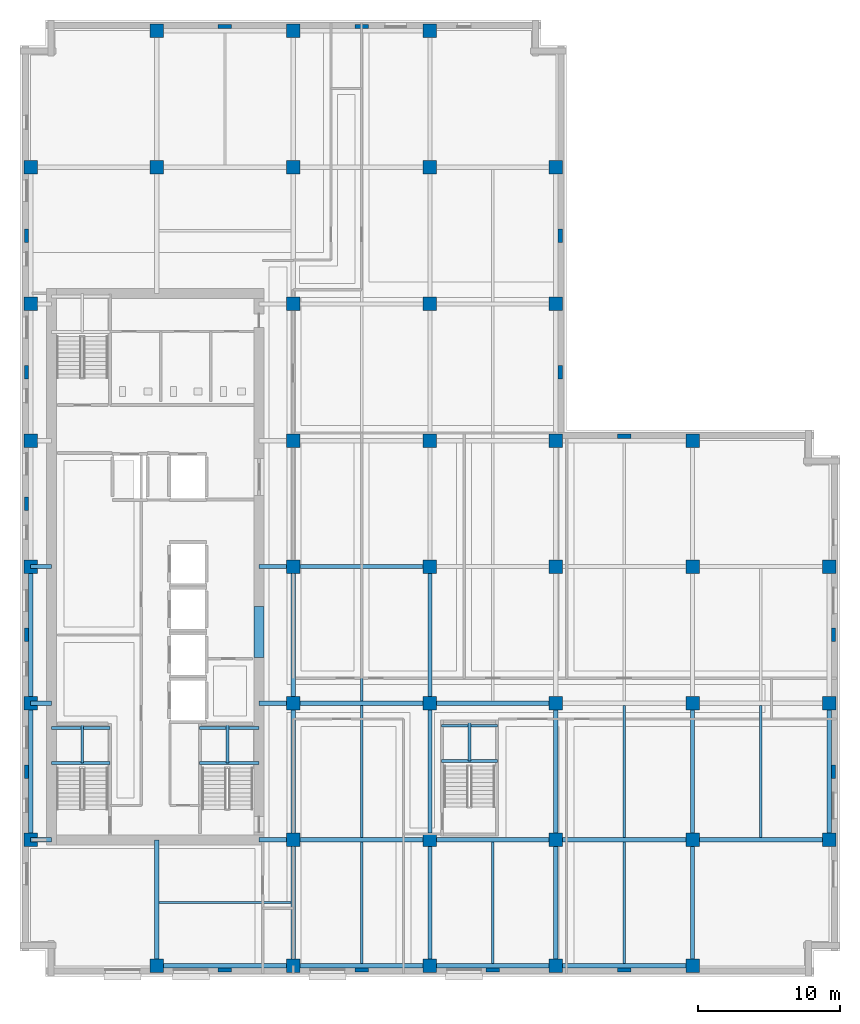
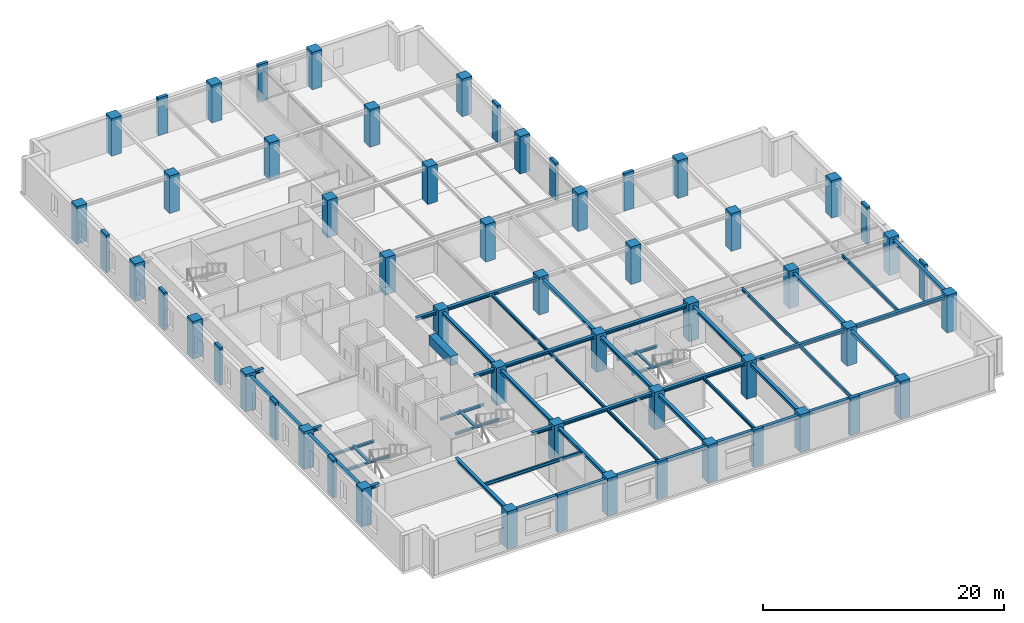
# One storey, part 1 of 13: 56 columns, 49 beams.
"""IFC4 building model written with IfcOpenShell, lengths in metres."""

from ifc_helpers import new_model, si_unit, direction, frame, origin, origin_2d, place, context, subcontext, project, spatial, rectangle, i_section, extrude, material, material_profile, profile_set, type_object, element, save


model = new_model("IFC4")

# Units and contexts
model_context = context("Model", 3, precision=1e-05, world=origin(), true_north=direction((0.0, 1.0)))
body_context = subcontext(model_context, "Body", "Model", "MODEL_VIEW")
ifc_project = project(units=[si_unit("LENGTHUNIT", "METRE"), si_unit("AREAUNIT", "SQUARE_METRE"), si_unit("VOLUMEUNIT", "CUBIC_METRE"), si_unit("PLANEANGLEUNIT", "RADIAN"), si_unit("MASSUNIT", "GRAM", prefix="KILO")], contexts=[model_context])

# Site, building, storey
site_placement = place(None, origin())
site = spatial("IfcSite", under=ifc_project, at=site_placement, CompositionType="ELEMENT")
building_placement = place(site_placement, origin())
building = spatial("IfcBuilding", under=site, at=building_placement, Name="Norrvale University Quadrangle", CompositionType="ELEMENT")
storey_placement = place(building_placement, frame((0.0, 0.0, 175.0)))
storey = spatial("IfcBuildingStorey", under=building, at=storey_placement, Name="L44", CompositionType="ELEMENT", Elevation=175.0)

# Columns
ifc_material_1 = material(Name="Red Manganese Brick Concrete C60/75", Category="concrete")
ifc_material_profile_1 = material_profile(ifc_material_1, rectangle(XDim=0.949951171875, YDim=0.300048828125, at=origin_2d()), Name="Red Manganese Brick Concrete C60/75")
ifc_profile_set_1 = profile_set([ifc_material_profile_1], Name="Red Manganese Brick Concrete C60/75")
column_type_1 = type_object("IfcColumnType", Name="Column Brick Pier 950x300", PredefinedType="PILASTER", material=ifc_profile_set_1)
for number, where, z_axis, x_axis, name in (
    (1, (0.449951171875, 14.39990234375, 0.0), (0.0, 0.0, 1.0), (0.0, 1.0, 0.0), "Exterior Brick Facade Pilaster L44-01"),
    (2, (0.449951171875, 24.0, 0.0), (0.0, 0.0, 1.0), (0.0, 1.0, 0.0), "Exterior Brick Facade Pilaster L44-02"),
    (3, (0.449951171875, 33.199951171875, 0.0), (0.0, 0.0, 1.0), (0.0, 1.0, 0.0), "Exterior Brick Facade Pilaster L44-03"),
    (4, (0.449951171875, 42.449951171875, 0.0), (0.0, 0.0, 1.0), (0.0, 1.0, 0.0), "Exterior Brick Facade Pilaster L44-04"),
    (5, (0.449951171875, 52.050048828125, 0.0), (0.0, 0.0, 1.0), (0.0, 1.0, 0.0), "Exterior Brick Facade Pilaster L44-05"),
    (6, (14.39990234375, 0.449951171875, 0.0), (0.0, 0.0, 1.0), (1.0, 0.0, 0.0), "Exterior Brick Facade Pilaster L44-06"),
    (7, (24.0, 0.449951171875, 0.0), (0.0, 0.0, 1.0), (1.0, 0.0, 0.0), "Exterior Brick Facade Pilaster L44-07"),
    (8, (33.199951171875, 0.449951171875, 0.0), (0.0, 0.0, 1.0), (1.0, 0.0, 0.0), "Exterior Brick Facade Pilaster L44-08"),
    (9, (42.449951171875, 0.449951171875, 0.0), (0.0, 0.0, 1.0), (1.0, 0.0, 0.0), "Exterior Brick Facade Pilaster L44-09"),
    (10, (57.14990234375, 14.39990234375, 0.0), (0.0, 0.0, 1.0), (0.0, 1.0, 0.0), "Exterior Brick Facade Pilaster L44-10"),
    (11, (57.14990234375, 24.0, 0.0), (0.0, 0.0, 1.0), (0.0, 1.0, 0.0), "Exterior Brick Facade Pilaster L44-11"),
    (12, (14.39990234375, 66.75, 0.0), (0.0, 0.0, 1.0), (1.0, 0.0, 0.0), "Exterior Brick Facade Pilaster L44-12"),
    (13, (24.0, 66.75, 0.0), (0.0, 0.0, 1.0), (1.0, 0.0, 0.0), "Exterior Brick Facade Pilaster L44-13"),
    (14, (37.949951171875, 42.449951171875, 0.0), (0.0, 0.0, 1.0), (0.0, 1.0, 0.0), "Exterior Brick Facade Pilaster L44-14"),
    (15, (37.949951171875, 52.050048828125, 0.0), (0.0, 0.0, 1.0), (0.0, 1.0, 0.0), "Exterior Brick Facade Pilaster L44-15"),
    (16, (42.449951171875, 37.949951171875, 0.0), (0.0, 0.0, 1.0), (1.0, 0.0, 0.0), "Exterior Brick Facade Pilaster L44-16"),
):
    element("IfcColumn", number, at=place(storey_placement, frame(where, z_axis=z_axis, x_axis=x_axis)), inside=storey, type_object=column_type_1, Name=name, PredefinedType="PILASTER", context=body_context, shape_type="SweptSolid", body=[
        extrude(rectangle(XDim=0.949951171875, YDim=0.300048828125, at=origin_2d()), origin(), (0.0, 0.0, 1.0), 3.800048828125),
    ])
ifc_material_2 = material(Name="Concrete C60/75", Category="concrete")
ifc_material_profile_2 = material_profile(ifc_material_2, rectangle(XDim=0.949951171875, YDim=0.949951171875, at=origin_2d()), Name="Concrete C60/75")
ifc_profile_set_2 = profile_set([ifc_material_profile_2], Name="Concrete C60/75")
column_type_2 = type_object("IfcColumnType", Name="Column Tower Z2 950x950", PredefinedType="COLUMN", material=ifc_profile_set_2)
for number, where, z_axis, x_axis, name in (
    (17, (0.75, 9.60009765625, 0.0), (0.0, 0.0, 1.0), (1.0, 0.0, 0.0), "Tower Column L44-T01"),
    (18, (0.75, 19.199951171875, 0.0), (0.0, 0.0, 1.0), (1.0, 0.0, 0.0), "Tower Column L44-T02"),
    (19, (0.75, 28.800048828125, 0.0), (0.0, 0.0, 1.0), (1.0, 0.0, 0.0), "Tower Column L44-T03"),
    (20, (0.75, 37.64990234375, 0.0), (0.0, 0.0, 1.0), (1.0, 0.0, 0.0), "Tower Column L44-T04"),
    (21, (0.75, 47.25, 0.0), (0.0, 0.0, 1.0), (1.0, 0.0, 0.0), "Tower Column L44-T05"),
    (22, (0.75, 56.85009765625, 0.0), (0.0, 0.0, 1.0), (1.0, 0.0, 0.0), "Tower Column L44-T06"),
    (23, (9.60009765625, 0.75, 0.0), (0.0, 0.0, 1.0), (1.0, 0.0, 0.0), "Tower Column L44-T07"),
    (24, (9.60009765625, 56.85009765625, 0.0), (0.0, 0.0, 1.0), (1.0, 0.0, 0.0), "Tower Column L44-T08"),
    (25, (9.60009765625, 66.449951171875, 0.0), (0.0, 0.0, 1.0), (1.0, 0.0, 0.0), "Tower Column L44-T09"),
    (26, (19.199951171875, 0.75, 0.0), (0.0, 0.0, 1.0), (1.0, 0.0, 0.0), "Tower Column L44-T10"),
    (27, (19.199951171875, 9.60009765625, 0.0), (0.0, 0.0, 1.0), (1.0, 0.0, 0.0), "Tower Column L44-T11"),
    (28, (19.199951171875, 19.199951171875, 0.0), (0.0, 0.0, 1.0), (1.0, 0.0, 0.0), "Tower Column L44-T12"),
    (29, (19.199951171875, 28.800048828125, 0.0), (0.0, 0.0, 1.0), (1.0, 0.0, 0.0), "Tower Column L44-T13"),
    (30, (19.199951171875, 37.64990234375, 0.0), (0.0, 0.0, 1.0), (1.0, 0.0, 0.0), "Tower Column L44-T14"),
    (31, (19.199951171875, 47.25, 0.0), (0.0, 0.0, 1.0), (1.0, 0.0, 0.0), "Tower Column L44-T15"),
    (32, (19.199951171875, 56.85009765625, 0.0), (0.0, 0.0, 1.0), (1.0, 0.0, 0.0), "Tower Column L44-T16"),
    (33, (19.199951171875, 66.449951171875, 0.0), (0.0, 0.0, 1.0), (1.0, 0.0, 0.0), "Tower Column L44-T17"),
    (34, (28.800048828125, 0.75, 0.0), (0.0, 0.0, 1.0), (1.0, 0.0, 0.0), "Tower Column L44-T18"),
    (35, (28.800048828125, 9.60009765625, 0.0), (0.0, 0.0, 1.0), (1.0, 0.0, 0.0), "Tower Column L44-T19"),
    (36, (28.800048828125, 19.199951171875, 0.0), (0.0, 0.0, 1.0), (1.0, 0.0, 0.0), "Tower Column L44-T20"),
    (37, (28.800048828125, 28.800048828125, 0.0), (0.0, 0.0, 1.0), (1.0, 0.0, 0.0), "Tower Column L44-T21"),
    (38, (28.800048828125, 37.64990234375, 0.0), (0.0, 0.0, 1.0), (1.0, 0.0, 0.0), "Tower Column L44-T22"),
    (39, (28.800048828125, 47.25, 0.0), (0.0, 0.0, 1.0), (1.0, 0.0, 0.0), "Tower Column L44-T23"),
    (40, (28.800048828125, 56.85009765625, 0.0), (0.0, 0.0, 1.0), (1.0, 0.0, 0.0), "Tower Column L44-T24"),
    (41, (28.800048828125, 66.449951171875, 0.0), (0.0, 0.0, 1.0), (1.0, 0.0, 0.0), "Tower Column L44-T25"),
    (42, (37.64990234375, 0.75, 0.0), (0.0, 0.0, 1.0), (1.0, 0.0, 0.0), "Tower Column L44-T26"),
    (43, (37.64990234375, 9.60009765625, 0.0), (0.0, 0.0, 1.0), (1.0, 0.0, 0.0), "Tower Column L44-T27"),
    (44, (37.64990234375, 19.199951171875, 0.0), (0.0, 0.0, 1.0), (1.0, 0.0, 0.0), "Tower Column L44-T28"),
    (45, (37.64990234375, 28.800048828125, 0.0), (0.0, 0.0, 1.0), (1.0, 0.0, 0.0), "Tower Column L44-T29"),
    (46, (37.64990234375, 37.64990234375, 0.0), (0.0, 0.0, 1.0), (1.0, 0.0, 0.0), "Tower Column L44-T30"),
    (47, (37.64990234375, 47.25, 0.0), (0.0, 0.0, 1.0), (1.0, 0.0, 0.0), "Tower Column L44-T31"),
    (48, (37.64990234375, 56.85009765625, 0.0), (0.0, 0.0, 1.0), (1.0, 0.0, 0.0), "Tower Column L44-T32"),
    (49, (47.25, 0.75, 0.0), (0.0, 0.0, 1.0), (1.0, 0.0, 0.0), "Tower Column L44-T33"),
    (50, (47.25, 9.60009765625, 0.0), (0.0, 0.0, 1.0), (1.0, 0.0, 0.0), "Tower Column L44-T34"),
    (51, (47.25, 19.199951171875, 0.0), (0.0, 0.0, 1.0), (1.0, 0.0, 0.0), "Tower Column L44-T35"),
    (52, (47.25, 28.800048828125, 0.0), (0.0, 0.0, 1.0), (1.0, 0.0, 0.0), "Tower Column L44-T36"),
    (53, (47.25, 37.64990234375, 0.0), (0.0, 0.0, 1.0), (1.0, 0.0, 0.0), "Tower Column L44-T37"),
    (54, (56.85009765625, 9.60009765625, 0.0), (0.0, 0.0, 1.0), (1.0, 0.0, 0.0), "Tower Column L44-T38"),
    (55, (56.85009765625, 19.199951171875, 0.0), (0.0, 0.0, 1.0), (1.0, 0.0, 0.0), "Tower Column L44-T39"),
    (56, (56.85009765625, 28.800048828125, 0.0), (0.0, 0.0, 1.0), (1.0, 0.0, 0.0), "Tower Column L44-T40"),
):
    element("IfcColumn", number, at=place(storey_placement, frame(where, z_axis=z_axis, x_axis=x_axis)), inside=storey, type_object=column_type_2, Name=name, PredefinedType="COLUMN", context=body_context, shape_type="SweptSolid", body=[
        extrude(rectangle(XDim=0.949951171875, YDim=0.949951171875, at=origin_2d()), origin(), (0.0, 0.0, 1.0), 3.800048828125),
    ])

# Beams
ifc_material_3 = material(Name="Steel 350W", Category="steel")
ifc_material_profile_3 = material_profile(ifc_material_3, i_section(OverallWidth=0.1669921875, OverallDepth=0.31689453125, WebThickness=0.007568359375, FlangeThickness=0.01318359375, FilletRadius=0.010009765625, at=origin_2d()), Name="Steel 350W")
ifc_profile_set_3 = profile_set([ifc_material_profile_3], Name="Steel 350W")
beam_type_1 = type_object("IfcBeamType", Name="Beam Canopy Purlin W310x52", PredefinedType="USERDEFINED", material=ifc_profile_set_3)
beam_1_placement = place(storey_placement, frame((24.0, 0.902587890625, 3.381591796875), z_axis=(0.0, 1.0, 0.0), x_axis=(-1.0, 0.0, 0.0)))
element("IfcBeam", 57, at=beam_1_placement, inside=storey, type_object=beam_type_1, Name="Beam Canopy Purlin W310x52 BM-L44-J071", ObjectType="PURLIN", PredefinedType="USERDEFINED", context=body_context, shape_type="SweptSolid", body=[
    extrude(i_section(OverallWidth=0.1669921875, OverallDepth=0.31689453125, WebThickness=0.007568359375, FlangeThickness=0.01318359375, FilletRadius=0.010009765625, at=origin_2d()), origin(), (0.0, 0.0, 1.0), 8.544921875),
])
beam_2_placement = place(storey_placement, frame((24.0, 9.75244140625, 3.381591796875), z_axis=(0.0, 1.0, 0.0), x_axis=(-1.0, 0.0, 0.0)))
element("IfcBeam", 58, at=beam_2_placement, inside=storey, type_object=beam_type_1, Name="Beam Canopy Purlin W310x52 BM-L44-J072", ObjectType="PURLIN", PredefinedType="USERDEFINED", context=body_context, shape_type="SweptSolid", body=[
    extrude(i_section(OverallWidth=0.1669921875, OverallDepth=0.31689453125, WebThickness=0.007568359375, FlangeThickness=0.01318359375, FilletRadius=0.010009765625, at=origin_2d()), origin(), (0.0, 0.0, 1.0), 9.295166015625),
])
beam_3_placement = place(storey_placement, frame((24.0, 19.3525390625, 3.381591796875), z_axis=(0.0, 1.0, 0.0), x_axis=(-1.0, 0.0, 0.0)))
element("IfcBeam", 59, at=beam_3_placement, inside=storey, type_object=beam_type_1, Name="Beam Canopy Purlin W310x52 BM-L44-J073", ObjectType="PURLIN", PredefinedType="USERDEFINED", context=body_context, shape_type="SweptSolid", body=[
    extrude(i_section(OverallWidth=0.1669921875, OverallDepth=0.31689453125, WebThickness=0.007568359375, FlangeThickness=0.01318359375, FilletRadius=0.010009765625, at=origin_2d()), origin(), (0.0, 0.0, 1.0), 9.294921875),
])
for number, where, z_axis, x_axis, name in (
    (60, (33.22509765625, 0.902587890625, 3.381591796875), (0.0, 1.0, 0.0), (-1.0, 0.0, 0.0), "Beam Canopy Purlin W310x52 BM-L44-J078"),
    (61, (42.449951171875, 0.902587890625, 3.381591796875), (0.0, 1.0, 0.0), (-1.0, 0.0, 0.0), "Beam Canopy Purlin W310x52 BM-L44-J083"),
):
    element("IfcBeam", number, at=place(storey_placement, frame(where, z_axis=z_axis, x_axis=x_axis)), inside=storey, type_object=beam_type_1, Name=name, ObjectType="PURLIN", PredefinedType="USERDEFINED", context=body_context, shape_type="SweptSolid", body=[
        extrude(i_section(OverallWidth=0.1669921875, OverallDepth=0.31689453125, WebThickness=0.007568359375, FlangeThickness=0.01318359375, FilletRadius=0.010009765625, at=origin_2d()), origin(), (0.0, 0.0, 1.0), 8.544921875),
    ])
for number, where, z_axis, x_axis, name in (
    (62, (42.449951171875, 9.75244140625, 3.381591796875), (0.0, 1.0, 0.0), (-1.0, 0.0, 0.0), "Beam Canopy Purlin W310x52 BM-L44-J084"),
    (63, (52.050048828125, 9.75244140625, 3.381591796875), (0.0, 1.0, 0.0), (-1.0, 0.0, 0.0), "Beam Canopy Purlin W310x52 BM-L44-J087"),
    (64, (9.75244140625, 5.199951171875, 3.381591796875), (1.0, 0.0, 0.0), (0.0, 1.0, 0.0), "Beam Canopy Purlin W310x52 BM-L44-JCS090"),
):
    element("IfcBeam", number, at=place(storey_placement, frame(where, z_axis=z_axis, x_axis=x_axis)), inside=storey, type_object=beam_type_1, Name=name, ObjectType="PURLIN", PredefinedType="USERDEFINED", context=body_context, shape_type="SweptSolid", body=[
        extrude(i_section(OverallWidth=0.1669921875, OverallDepth=0.31689453125, WebThickness=0.007568359375, FlangeThickness=0.01318359375, FilletRadius=0.010009765625, at=origin_2d()), origin(), (0.0, 0.0, 1.0), 9.295166015625),
    ])
ifc_material_profile_4 = material_profile(ifc_material_3, i_section(OverallWidth=0.304931640625, OverallDepth=0.30810546875, WebThickness=0.010009765625, FlangeThickness=0.015380859375, FilletRadius=0.014892578125, at=origin_2d()), Name="Steel 350W")
ifc_profile_set_4 = profile_set([ifc_material_profile_4], Name="Steel 350W")
beam_type_2 = type_object("IfcBeamType", Name="Beam Canopy W310x97", PredefinedType="BEAM", material=ifc_profile_set_4)
beam_4_placement = place(storey_placement, frame((9.60009765625, 0.75, 3.385986328125), z_axis=(1.0, 0.0, 0.0), x_axis=(0.0, 1.0, 0.0)))
element("IfcBeam", 65, at=beam_4_placement, inside=storey, type_object=beam_type_2, Name="Beam Canopy W310x97 BM-L44-GX001", PredefinedType="BEAM", context=body_context, shape_type="SweptSolid", body=[
    extrude(i_section(OverallWidth=0.304931640625, OverallDepth=0.30810546875, WebThickness=0.010009765625, FlangeThickness=0.015380859375, FilletRadius=0.014892578125, at=origin_2d()), origin(), (0.0, 0.0, 1.0), 9.599853515625),
])
beam_5_placement = place(storey_placement, frame((19.199951171875, 0.75, 3.385986328125), z_axis=(1.0, 0.0, 0.0), x_axis=(0.0, 1.0, 0.0)))
element("IfcBeam", 66, at=beam_5_placement, inside=storey, type_object=beam_type_2, Name="Beam Canopy W310x97 BM-L44-GX002", PredefinedType="BEAM", context=body_context, shape_type="SweptSolid", body=[
    extrude(i_section(OverallWidth=0.304931640625, OverallDepth=0.30810546875, WebThickness=0.010009765625, FlangeThickness=0.015380859375, FilletRadius=0.014892578125, at=origin_2d()), origin(), (0.0, 0.0, 1.0), 9.60009765625),
])
beam_6_placement = place(storey_placement, frame((28.800048828125, 0.75, 3.385986328125), z_axis=(1.0, 0.0, 0.0), x_axis=(0.0, 1.0, 0.0)))
element("IfcBeam", 67, at=beam_6_placement, inside=storey, type_object=beam_type_2, Name="Beam Canopy W310x97 BM-L44-GX003", PredefinedType="BEAM", context=body_context, shape_type="SweptSolid", body=[
    extrude(i_section(OverallWidth=0.304931640625, OverallDepth=0.30810546875, WebThickness=0.010009765625, FlangeThickness=0.015380859375, FilletRadius=0.014892578125, at=origin_2d()), origin(), (0.0, 0.0, 1.0), 8.849853515625),
])
for number, where, z_axis, x_axis, name in (
    (68, (37.64990234375, 0.75, 3.385986328125), (1.0, 0.0, 0.0), (0.0, 1.0, 0.0), "Beam Canopy W310x97 BM-L44-GX004"),
    (69, (19.199951171875, 9.60009765625, 3.385986328125), (1.0, 0.0, 0.0), (0.0, 1.0, 0.0), "Beam Canopy W310x97 BM-L44-GX005"),
):
    element("IfcBeam", number, at=place(storey_placement, frame(where, z_axis=z_axis, x_axis=x_axis)), inside=storey, type_object=beam_type_2, Name=name, PredefinedType="BEAM", context=body_context, shape_type="SweptSolid", body=[
        extrude(i_section(OverallWidth=0.304931640625, OverallDepth=0.30810546875, WebThickness=0.010009765625, FlangeThickness=0.015380859375, FilletRadius=0.014892578125, at=origin_2d()), origin(), (0.0, 0.0, 1.0), 9.60009765625),
    ])
beam_7_placement = place(storey_placement, frame((28.800048828125, 9.60009765625, 3.385986328125), z_axis=(1.0, 0.0, 0.0), x_axis=(0.0, 1.0, 0.0)))
element("IfcBeam", 70, at=beam_7_placement, inside=storey, type_object=beam_type_2, Name="Beam Canopy W310x97 BM-L44-GX006", PredefinedType="BEAM", context=body_context, shape_type="SweptSolid", body=[
    extrude(i_section(OverallWidth=0.304931640625, OverallDepth=0.30810546875, WebThickness=0.010009765625, FlangeThickness=0.015380859375, FilletRadius=0.014892578125, at=origin_2d()), origin(), (0.0, 0.0, 1.0), 8.849853515625),
])
for number, where, z_axis, x_axis, name in (
    (71, (37.64990234375, 9.60009765625, 3.385986328125), (1.0, 0.0, 0.0), (0.0, 1.0, 0.0), "Beam Canopy W310x97 BM-L44-GX007"),
    (72, (47.25, 9.60009765625, 3.385986328125), (1.0, 0.0, 0.0), (0.0, 1.0, 0.0), "Beam Canopy W310x97 BM-L44-GX008"),
    (73, (19.199951171875, 19.199951171875, 3.385986328125), (1.0, 0.0, 0.0), (0.0, 1.0, 0.0), "Beam Canopy W310x97 BM-L44-GX009"),
):
    element("IfcBeam", number, at=place(storey_placement, frame(where, z_axis=z_axis, x_axis=x_axis)), inside=storey, type_object=beam_type_2, Name=name, PredefinedType="BEAM", context=body_context, shape_type="SweptSolid", body=[
        extrude(i_section(OverallWidth=0.304931640625, OverallDepth=0.30810546875, WebThickness=0.010009765625, FlangeThickness=0.015380859375, FilletRadius=0.014892578125, at=origin_2d()), origin(), (0.0, 0.0, 1.0), 9.60009765625),
    ])
beam_8_placement = place(storey_placement, frame((28.800048828125, 19.199951171875, 3.385986328125), z_axis=(1.0, 0.0, 0.0), x_axis=(0.0, 1.0, 0.0)))
element("IfcBeam", 74, at=beam_8_placement, inside=storey, type_object=beam_type_2, Name="Beam Canopy W310x97 BM-L44-GX010", PredefinedType="BEAM", context=body_context, shape_type="SweptSolid", body=[
    extrude(i_section(OverallWidth=0.304931640625, OverallDepth=0.30810546875, WebThickness=0.010009765625, FlangeThickness=0.015380859375, FilletRadius=0.014892578125, at=origin_2d()), origin(), (0.0, 0.0, 1.0), 8.849853515625),
])
beam_9_placement = place(storey_placement, frame((19.199951171875, 28.800048828125, 3.385986328125), z_axis=(1.0, 0.0, 0.0), x_axis=(0.0, 1.0, 0.0)))
element("IfcBeam", 75, at=beam_9_placement, inside=storey, type_object=beam_type_2, Name="Beam Canopy W310x97 BM-L44-GX013", PredefinedType="BEAM", context=body_context, shape_type="SweptSolid", body=[
    extrude(i_section(OverallWidth=0.304931640625, OverallDepth=0.30810546875, WebThickness=0.010009765625, FlangeThickness=0.015380859375, FilletRadius=0.014892578125, at=origin_2d()), origin(), (0.0, 0.0, 1.0), 9.60009765625),
])
beam_10_placement = place(storey_placement, frame((0.75, 9.60009765625, 3.385986328125), z_axis=(0.0, 1.0, 0.0), x_axis=(-1.0, 0.0, 0.0)))
element("IfcBeam", 76, at=beam_10_placement, inside=storey, type_object=beam_type_2, Name="Beam Canopy W310x97 BM-L44-GY028", PredefinedType="BEAM", context=body_context, shape_type="SweptSolid", body=[
    extrude(i_section(OverallWidth=0.304931640625, OverallDepth=0.30810546875, WebThickness=0.010009765625, FlangeThickness=0.015380859375, FilletRadius=0.014892578125, at=origin_2d()), origin(), (0.0, 0.0, 1.0), 9.599853515625),
])
beam_11_placement = place(storey_placement, frame((0.75, 19.199951171875, 3.385986328125), z_axis=(0.0, 1.0, 0.0), x_axis=(-1.0, 0.0, 0.0)))
element("IfcBeam", 77, at=beam_11_placement, inside=storey, type_object=beam_type_2, Name="Beam Canopy W310x97 BM-L44-GY029", PredefinedType="BEAM", context=body_context, shape_type="SweptSolid", body=[
    extrude(i_section(OverallWidth=0.304931640625, OverallDepth=0.30810546875, WebThickness=0.010009765625, FlangeThickness=0.015380859375, FilletRadius=0.014892578125, at=origin_2d()), origin(), (0.0, 0.0, 1.0), 9.60009765625),
])
beam_12_placement = place(storey_placement, frame((19.199951171875, 0.75, 3.385986328125), z_axis=(0.0, 1.0, 0.0), x_axis=(-1.0, 0.0, 0.0)))
element("IfcBeam", 78, at=beam_12_placement, inside=storey, type_object=beam_type_2, Name="Beam Canopy W310x97 BM-L44-GY034", PredefinedType="BEAM", context=body_context, shape_type="SweptSolid", body=[
    extrude(i_section(OverallWidth=0.304931640625, OverallDepth=0.30810546875, WebThickness=0.010009765625, FlangeThickness=0.015380859375, FilletRadius=0.014892578125, at=origin_2d()), origin(), (0.0, 0.0, 1.0), 8.85009765625),
])
beam_13_placement = place(storey_placement, frame((19.199951171875, 9.60009765625, 3.385986328125), z_axis=(0.0, 1.0, 0.0), x_axis=(-1.0, 0.0, 0.0)))
element("IfcBeam", 79, at=beam_13_placement, inside=storey, type_object=beam_type_2, Name="Beam Canopy W310x97 BM-L44-GY035", PredefinedType="BEAM", context=body_context, shape_type="SweptSolid", body=[
    extrude(i_section(OverallWidth=0.304931640625, OverallDepth=0.30810546875, WebThickness=0.010009765625, FlangeThickness=0.015380859375, FilletRadius=0.014892578125, at=origin_2d()), origin(), (0.0, 0.0, 1.0), 9.599853515625),
])
beam_14_placement = place(storey_placement, frame((19.199951171875, 19.199951171875, 3.385986328125), z_axis=(0.0, 1.0, 0.0), x_axis=(-1.0, 0.0, 0.0)))
element("IfcBeam", 80, at=beam_14_placement, inside=storey, type_object=beam_type_2, Name="Beam Canopy W310x97 BM-L44-GY036", PredefinedType="BEAM", context=body_context, shape_type="SweptSolid", body=[
    extrude(i_section(OverallWidth=0.304931640625, OverallDepth=0.30810546875, WebThickness=0.010009765625, FlangeThickness=0.015380859375, FilletRadius=0.014892578125, at=origin_2d()), origin(), (0.0, 0.0, 1.0), 9.60009765625),
])
beam_15_placement = place(storey_placement, frame((28.800048828125, 0.75, 3.385986328125), z_axis=(0.0, 1.0, 0.0), x_axis=(-1.0, 0.0, 0.0)))
element("IfcBeam", 81, at=beam_15_placement, inside=storey, type_object=beam_type_2, Name="Beam Canopy W310x97 BM-L44-GY041", PredefinedType="BEAM", context=body_context, shape_type="SweptSolid", body=[
    extrude(i_section(OverallWidth=0.304931640625, OverallDepth=0.30810546875, WebThickness=0.010009765625, FlangeThickness=0.015380859375, FilletRadius=0.014892578125, at=origin_2d()), origin(), (0.0, 0.0, 1.0), 8.85009765625),
])
beam_16_placement = place(storey_placement, frame((28.800048828125, 9.60009765625, 3.385986328125), z_axis=(0.0, 1.0, 0.0), x_axis=(-1.0, 0.0, 0.0)))
element("IfcBeam", 82, at=beam_16_placement, inside=storey, type_object=beam_type_2, Name="Beam Canopy W310x97 BM-L44-GY042", PredefinedType="BEAM", context=body_context, shape_type="SweptSolid", body=[
    extrude(i_section(OverallWidth=0.304931640625, OverallDepth=0.30810546875, WebThickness=0.010009765625, FlangeThickness=0.015380859375, FilletRadius=0.014892578125, at=origin_2d()), origin(), (0.0, 0.0, 1.0), 9.599853515625),
])
beam_17_placement = place(storey_placement, frame((28.800048828125, 19.199951171875, 3.385986328125), z_axis=(0.0, 1.0, 0.0), x_axis=(-1.0, 0.0, 0.0)))
element("IfcBeam", 83, at=beam_17_placement, inside=storey, type_object=beam_type_2, Name="Beam Canopy W310x97 BM-L44-GY043", PredefinedType="BEAM", context=body_context, shape_type="SweptSolid", body=[
    extrude(i_section(OverallWidth=0.304931640625, OverallDepth=0.30810546875, WebThickness=0.010009765625, FlangeThickness=0.015380859375, FilletRadius=0.014892578125, at=origin_2d()), origin(), (0.0, 0.0, 1.0), 9.60009765625),
])
beam_18_placement = place(storey_placement, frame((37.64990234375, 0.75, 3.385986328125), z_axis=(0.0, 1.0, 0.0), x_axis=(-1.0, 0.0, 0.0)))
element("IfcBeam", 84, at=beam_18_placement, inside=storey, type_object=beam_type_2, Name="Beam Canopy W310x97 BM-L44-GY048", PredefinedType="BEAM", context=body_context, shape_type="SweptSolid", body=[
    extrude(i_section(OverallWidth=0.304931640625, OverallDepth=0.30810546875, WebThickness=0.010009765625, FlangeThickness=0.015380859375, FilletRadius=0.014892578125, at=origin_2d()), origin(), (0.0, 0.0, 1.0), 8.85009765625),
])
beam_19_placement = place(storey_placement, frame((37.64990234375, 9.60009765625, 3.385986328125), z_axis=(0.0, 1.0, 0.0), x_axis=(-1.0, 0.0, 0.0)))
element("IfcBeam", 85, at=beam_19_placement, inside=storey, type_object=beam_type_2, Name="Beam Canopy W310x97 BM-L44-GY049", PredefinedType="BEAM", context=body_context, shape_type="SweptSolid", body=[
    extrude(i_section(OverallWidth=0.304931640625, OverallDepth=0.30810546875, WebThickness=0.010009765625, FlangeThickness=0.015380859375, FilletRadius=0.014892578125, at=origin_2d()), origin(), (0.0, 0.0, 1.0), 9.599853515625),
])
beam_20_placement = place(storey_placement, frame((47.25, 0.75, 3.385986328125), z_axis=(0.0, 1.0, 0.0), x_axis=(-1.0, 0.0, 0.0)))
element("IfcBeam", 86, at=beam_20_placement, inside=storey, type_object=beam_type_2, Name="Beam Canopy W310x97 BM-L44-GY054", PredefinedType="BEAM", context=body_context, shape_type="SweptSolid", body=[
    extrude(i_section(OverallWidth=0.304931640625, OverallDepth=0.30810546875, WebThickness=0.010009765625, FlangeThickness=0.015380859375, FilletRadius=0.014892578125, at=origin_2d()), origin(), (0.0, 0.0, 1.0), 8.85009765625),
])
for number, where, z_axis, x_axis, name in (
    (87, (47.25, 9.60009765625, 3.385986328125), (0.0, 1.0, 0.0), (-1.0, 0.0, 0.0), "Beam Canopy W310x97 BM-L44-GY055"),
    (88, (56.85009765625, 9.60009765625, 3.385986328125), (0.0, 1.0, 0.0), (-1.0, 0.0, 0.0), "Beam Canopy W310x97 BM-L44-GY058"),
):
    element("IfcBeam", number, at=place(storey_placement, frame(where, z_axis=z_axis, x_axis=x_axis)), inside=storey, type_object=beam_type_2, Name=name, PredefinedType="BEAM", context=body_context, shape_type="SweptSolid", body=[
        extrude(i_section(OverallWidth=0.304931640625, OverallDepth=0.30810546875, WebThickness=0.010009765625, FlangeThickness=0.015380859375, FilletRadius=0.014892578125, at=origin_2d()), origin(), (0.0, 0.0, 1.0), 9.599853515625),
    ])
beam_21_placement = place(storey_placement, frame((0.75, 9.60009765625, 3.385986328125), z_axis=(1.0, 0.0, 0.0), x_axis=(0.0, 1.0, 0.0)))
element("IfcBeam", 89, at=beam_21_placement, inside=storey, type_object=beam_type_2, Name="Beam Canopy W310x97 BM-L44-GCW060", PredefinedType="BEAM", context=body_context, shape_type="SweptSolid", body=[
    extrude(i_section(OverallWidth=0.304931640625, OverallDepth=0.30810546875, WebThickness=0.010009765625, FlangeThickness=0.015380859375, FilletRadius=0.014892578125, at=origin_2d()), origin(), (0.0, 0.0, 1.0), 1.449951171875),
])
beam_22_placement = place(storey_placement, frame((16.800048828125, 9.60009765625, 3.385986328125), z_axis=(1.0, 0.0, 0.0), x_axis=(0.0, 1.0, 0.0)))
element("IfcBeam", 90, at=beam_22_placement, inside=storey, type_object=beam_type_2, Name="Beam Canopy W310x97 BM-L44-GCE061", PredefinedType="BEAM", context=body_context, shape_type="SweptSolid", body=[
    extrude(i_section(OverallWidth=0.304931640625, OverallDepth=0.30810546875, WebThickness=0.010009765625, FlangeThickness=0.015380859375, FilletRadius=0.014892578125, at=origin_2d()), origin(), (0.0, 0.0, 1.0), 2.39990234375),
])
beam_23_placement = place(storey_placement, frame((0.75, 19.199951171875, 3.385986328125), z_axis=(1.0, 0.0, 0.0), x_axis=(0.0, 1.0, 0.0)))
element("IfcBeam", 91, at=beam_23_placement, inside=storey, type_object=beam_type_2, Name="Beam Canopy W310x97 BM-L44-GCW062", PredefinedType="BEAM", context=body_context, shape_type="SweptSolid", body=[
    extrude(i_section(OverallWidth=0.304931640625, OverallDepth=0.30810546875, WebThickness=0.010009765625, FlangeThickness=0.015380859375, FilletRadius=0.014892578125, at=origin_2d()), origin(), (0.0, 0.0, 1.0), 1.449951171875),
])
beam_24_placement = place(storey_placement, frame((16.800048828125, 19.199951171875, 3.385986328125), z_axis=(1.0, 0.0, 0.0), x_axis=(0.0, 1.0, 0.0)))
element("IfcBeam", 92, at=beam_24_placement, inside=storey, type_object=beam_type_2, Name="Beam Canopy W310x97 BM-L44-GCE063", PredefinedType="BEAM", context=body_context, shape_type="SweptSolid", body=[
    extrude(i_section(OverallWidth=0.304931640625, OverallDepth=0.30810546875, WebThickness=0.010009765625, FlangeThickness=0.015380859375, FilletRadius=0.014892578125, at=origin_2d()), origin(), (0.0, 0.0, 1.0), 2.39990234375),
])
beam_25_placement = place(storey_placement, frame((0.75, 28.800048828125, 3.385986328125), z_axis=(1.0, 0.0, 0.0), x_axis=(0.0, 1.0, 0.0)))
element("IfcBeam", 93, at=beam_25_placement, inside=storey, type_object=beam_type_2, Name="Beam Canopy W310x97 BM-L44-GCW064", PredefinedType="BEAM", context=body_context, shape_type="SweptSolid", body=[
    extrude(i_section(OverallWidth=0.304931640625, OverallDepth=0.30810546875, WebThickness=0.010009765625, FlangeThickness=0.015380859375, FilletRadius=0.014892578125, at=origin_2d()), origin(), (0.0, 0.0, 1.0), 1.449951171875),
])
beam_26_placement = place(storey_placement, frame((16.800048828125, 28.800048828125, 3.385986328125), z_axis=(1.0, 0.0, 0.0), x_axis=(0.0, 1.0, 0.0)))
element("IfcBeam", 94, at=beam_26_placement, inside=storey, type_object=beam_type_2, Name="Beam Canopy W310x97 BM-L44-GCE065", PredefinedType="BEAM", context=body_context, shape_type="SweptSolid", body=[
    extrude(i_section(OverallWidth=0.304931640625, OverallDepth=0.30810546875, WebThickness=0.010009765625, FlangeThickness=0.015380859375, FilletRadius=0.014892578125, at=origin_2d()), origin(), (0.0, 0.0, 1.0), 2.39990234375),
])
beam_27_placement = place(storey_placement, frame((9.60009765625, 0.75, 3.385986328125), z_axis=(0.0, 1.0, 0.0), x_axis=(-1.0, 0.0, 0.0)))
element("IfcBeam", 95, at=beam_27_placement, inside=storey, type_object=beam_type_2, Name="Beam Canopy W310x97 BM-L44-GCS089", PredefinedType="BEAM", context=body_context, shape_type="SweptSolid", body=[
    extrude(i_section(OverallWidth=0.304931640625, OverallDepth=0.30810546875, WebThickness=0.010009765625, FlangeThickness=0.015380859375, FilletRadius=0.014892578125, at=origin_2d()), origin(), (0.0, 0.0, 1.0), 8.85009765625),
])
ifc_material_4 = material(Name="Concrete C80/95", Category="concrete")
ifc_material_profile_5 = material_profile(ifc_material_4, rectangle(XDim=0.699951171875, YDim=0.949951171875, at=origin_2d()), Name="Concrete C80/95")
ifc_profile_set_5 = profile_set([ifc_material_profile_5], Name="Concrete C80/95")
beam_type_3 = type_object("IfcBeamType", Name="Beam Core Link 700x950", PredefinedType="LINTEL", material=ifc_profile_set_5)
beam_28_placement = place(storey_placement, frame((16.800048828125, 22.39990234375, 3.06494140625), z_axis=(0.0, 1.0, 0.0), x_axis=(-1.0, 0.0, 0.0)))
element("IfcBeam", 96, at=beam_28_placement, inside=storey, type_object=beam_type_3, Name="Core Coupling Lintel Beam L44-1", PredefinedType="LINTEL", context=body_context, shape_type="SweptSolid", body=[
    extrude(rectangle(XDim=0.699951171875, YDim=0.949951171875, at=origin_2d()), origin(), (0.0, 0.0, 1.0), 3.60009765625),
])
ifc_material_profile_6 = material_profile(ifc_material_3, i_section(OverallWidth=0.201904296875, OverallDepth=0.2470703125, WebThickness=0.00732421875, FlangeThickness=0.010986328125, FilletRadius=0.011962890625, at=origin_2d()), Name="Steel 350W")
ifc_profile_set_6 = profile_set([ifc_material_profile_6], Name="Steel 350W")
beam_type_4 = type_object("IfcBeamType", Name="Beam Stair W250x49", PredefinedType="BEAM", material=ifc_profile_set_6)
for number, where, z_axis, x_axis, name in (
    (97, (2.199951171875, 14.989990234375, 1.576416015625), (1.0, 0.0, 0.0), (0.0, 1.0, 0.0), "Stair Mid-Landing Front Beam ST-01 L44"),
    (98, (2.199951171875, 17.469970703125, 1.576416015625), (1.0, 0.0, 0.0), (0.0, 1.0, 0.0), "Stair Mid-Landing Rear Beam ST-01 L44"),
):
    element("IfcBeam", number, at=place(storey_placement, frame(where, z_axis=z_axis, x_axis=x_axis)), inside=storey, type_object=beam_type_4, Name=name, PredefinedType="BEAM", context=body_context, shape_type="SweptSolid", body=[
        extrude(i_section(OverallWidth=0.201904296875, OverallDepth=0.2470703125, WebThickness=0.00732421875, FlangeThickness=0.010986328125, FilletRadius=0.011962890625, at=origin_2d()), origin(), (0.0, 0.0, 1.0), 4.14013671875),
    ])
for number, where, z_axis, x_axis, name in (
    (99, (12.610107421875, 14.989990234375, 1.576416015625), (1.0, 0.0, 0.0), (0.0, 1.0, 0.0), "Stair Mid-Landing Front Beam ST-03 L44"),
    (100, (12.610107421875, 17.469970703125, 1.576416015625), (1.0, 0.0, 0.0), (0.0, 1.0, 0.0), "Stair Mid-Landing Rear Beam ST-03 L44"),
):
    element("IfcBeam", number, at=place(storey_placement, frame(where, z_axis=z_axis, x_axis=x_axis)), inside=storey, type_object=beam_type_4, Name=name, PredefinedType="BEAM", context=body_context, shape_type="SweptSolid", body=[
        extrude(i_section(OverallWidth=0.201904296875, OverallDepth=0.2470703125, WebThickness=0.00732421875, FlangeThickness=0.010986328125, FilletRadius=0.011962890625, at=origin_2d()), origin(), (0.0, 0.0, 1.0), 4.18994140625),
    ])
for number, where, z_axis, x_axis, name in (
    (101, (29.610107421875, 15.139892578125, 1.576416015625), (1.0, 0.0, 0.0), (0.0, 1.0, 0.0), "Stair Mid-Landing Front Beam ST-04 L44"),
    (102, (29.610107421875, 17.6201171875, 1.576416015625), (1.0, 0.0, 0.0), (0.0, 1.0, 0.0), "Stair Mid-Landing Rear Beam ST-04 L44"),
):
    element("IfcBeam", number, at=place(storey_placement, frame(where, z_axis=z_axis, x_axis=x_axis)), inside=storey, type_object=beam_type_4, Name=name, PredefinedType="BEAM", context=body_context, shape_type="SweptSolid", body=[
        extrude(i_section(OverallWidth=0.201904296875, OverallDepth=0.2470703125, WebThickness=0.00732421875, FlangeThickness=0.010986328125, FilletRadius=0.011962890625, at=origin_2d()), origin(), (0.0, 0.0, 1.0), 3.929931640625),
    ])
ifc_material_profile_7 = material_profile(ifc_material_3, i_section(OverallWidth=0.202880859375, OverallDepth=0.202880859375, WebThickness=0.007080078125, FlangeThickness=0.010986328125, FilletRadius=0.010009765625, at=origin_2d()), Name="Steel 350W")
ifc_profile_set_7 = profile_set([ifc_material_profile_7], Name="Steel 350W")
beam_type_5 = type_object("IfcBeamType", Name="Beam Trim W200x46", PredefinedType="BEAM", material=ifc_profile_set_7)
for number, where, z_axis, x_axis, name in (
    (103, (4.375, 14.989990234375, 1.598388671875), (0.0, 1.0, 0.0), (-1.0, 0.0, 0.0), "Stair Mid-Landing Cross Beam ST-01 L44"),
    (104, (14.574951171875, 14.989990234375, 1.598388671875), (0.0, 1.0, 0.0), (-1.0, 0.0, 0.0), "Stair Mid-Landing Cross Beam ST-03 L44"),
    (105, (31.574951171875, 15.139892578125, 1.598388671875), (0.0, 1.0, 0.0), (-1.0, 0.0, 0.0), "Stair Mid-Landing Cross Beam ST-04 L44"),
):
    element("IfcBeam", number, at=place(storey_placement, frame(where, z_axis=z_axis, x_axis=x_axis)), inside=storey, type_object=beam_type_5, Name=name, PredefinedType="BEAM", context=body_context, shape_type="SweptSolid", body=[
        extrude(i_section(OverallWidth=0.202880859375, OverallDepth=0.202880859375, WebThickness=0.007080078125, FlangeThickness=0.010986328125, FilletRadius=0.010009765625, at=origin_2d()), origin(), (0.0, 0.0, 1.0), 2.800048828125),
    ])

save(model, "model.ifc")
